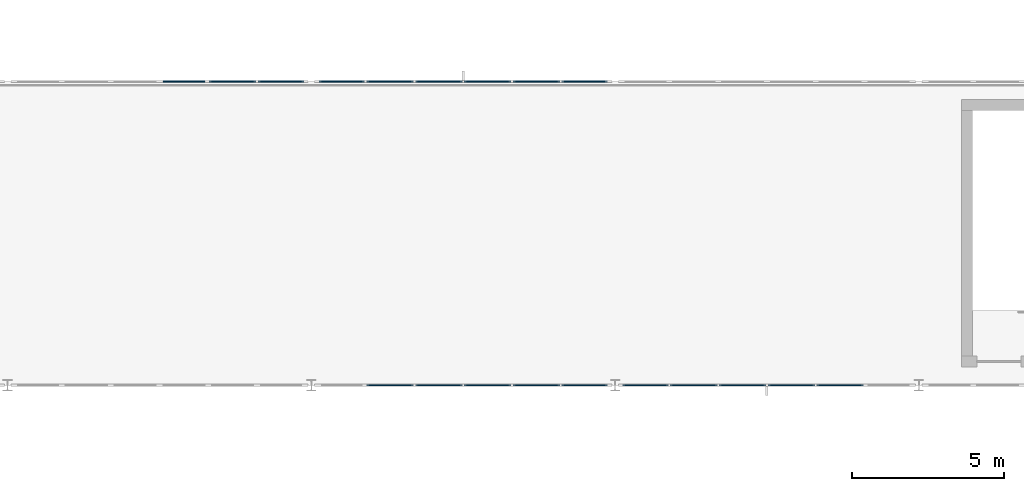
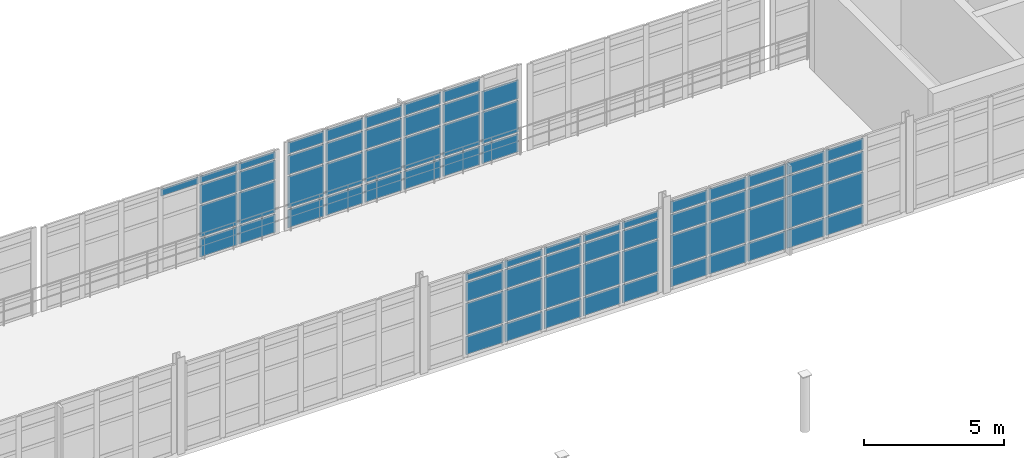
# One storey, part 81 of 122: 72 plates, 4 elements without a shape of their own.
"""IFC4 building model written with IfcOpenShell, lengths in metres."""

from ifc_helpers import new_model, si_unit, direction, frame, origin, origin_2d, place, context, subcontext, project, spatial, rectangle, extrude, material, layer, layer_set, type_object, element, aggregate, save


model = new_model("IFC4")

# Units and contexts
model_context = context("Model", 3, precision=1e-05, world=origin(), true_north=direction((0.0, 1.0)))
body_context = subcontext(model_context, "Body", "Model", "MODEL_VIEW")
ifc_project = project(units=[si_unit("LENGTHUNIT", "METRE"), si_unit("AREAUNIT", "SQUARE_METRE"), si_unit("VOLUMEUNIT", "CUBIC_METRE"), si_unit("PLANEANGLEUNIT", "RADIAN"), si_unit("MASSUNIT", "GRAM", prefix="KILO"), si_unit("THERMODYNAMICTEMPERATUREUNIT", "KELVIN"), si_unit("POWERUNIT", "WATT")], contexts=[model_context])

# Site, building, storey
site_placement = place(None, origin())
site = spatial("IfcSite", under=ifc_project, at=site_placement, CompositionType="ELEMENT")
building_placement = place(site_placement, origin())
building = spatial("IfcBuilding", under=site, at=building_placement, Name="Korenveer Ferry Terminal", CompositionType="ELEMENT")
storey_placement = place(building_placement, frame((0.0, 0.0, 10.199951171875)))
storey = spatial("IfcBuildingStorey", under=building, at=storey_placement, Name="L02", CompositionType="ELEMENT", Elevation=10.199951171875)

# Curtain wall, plates
ifc_material_1 = material(Name="Unitised bronze-and-glass curtain wall", Category="glass")
ifc_layer_1 = layer(ifc_material_1, 0.219970703125)
ifc_layer_set_1 = layer_set([ifc_layer_1], Name="Unitised bronze-and-glass curtain wall")
curtain_wall_type_1 = type_object("IfcCurtainWallType", Name="ENV-CW-91", PredefinedType="USERDEFINED", material=ifc_layer_set_1)
curtain_wall_1_placement = place(storey_placement, frame((93.179931640625, 50.0, 0.0)))
curtain_wall_1 = element("IfcCurtainWall", 1, at=curtain_wall_1_placement, inside=storey, type_object=curtain_wall_type_1, Name="Lancet curtain wall CWX-L02-X93-103-Y50-50", ObjectType="UNITISED CURTAIN WALL", PredefinedType="USERDEFINED")
ifc_material_2 = material(Name="Acoustic laminated marine glazing", Category="glass")
ifc_layer_2 = layer(ifc_material_2, 0.035888671875)
ifc_layer_set_2 = layer_set([ifc_layer_2], Name="Acoustic laminated marine glazing")
plate_type = type_object("IfcPlateType", Name="ENV-CWP-GLZ36", PredefinedType="CURTAIN_PANEL", material=ifc_layer_set_2)
plate_1_placement = place(storey_placement, frame((95.590087890625, 50.0, 0.074951171875), z_axis=(0.0, 0.0, 1.0), x_axis=(1.0, 0.0, 0.0)))
plate_1 = element("IfcPlate", 2, at=plate_1_placement, type_object=plate_type, Name="CW-91 panel 2.1", PredefinedType="CURTAIN_PANEL", context=body_context, shape_type="SweptSolid", body=[
    extrude(rectangle(XDim=1.53173828125, YDim=0.035888671875, at=origin_2d()), origin(), (0.0, 0.0, 1.0), 0.78759765625),
])
plate_2_placement = place(storey_placement, frame((95.590087890625, 50.0, 0.9375), z_axis=(0.0, 0.0, 1.0), x_axis=(1.0, 0.0, 0.0)))
plate_2 = element("IfcPlate", 3, at=plate_2_placement, type_object=plate_type, Name="CW-91 panel 2.2", PredefinedType="CURTAIN_PANEL", context=body_context, shape_type="SweptSolid", body=[
    extrude(rectangle(XDim=1.53173828125, YDim=0.035888671875, at=origin_2d()), origin(), (0.0, 0.0, 1.0), 1.375),
])
plate_3_placement = place(storey_placement, frame((95.590087890625, 50.0, 2.3876953125), z_axis=(0.0, 0.0, 1.0), x_axis=(1.0, 0.0, 0.0)))
plate_3 = element("IfcPlate", 4, at=plate_3_placement, type_object=plate_type, Name="CW-91 panel 2.3", PredefinedType="CURTAIN_PANEL", context=body_context, shape_type="SweptSolid", body=[
    extrude(rectangle(XDim=1.53173828125, YDim=0.035888671875, at=origin_2d()), origin(), (0.0, 0.0, 1.0), 0.824951171875),
])
plate_4_placement = place(storey_placement, frame((95.590087890625, 50.0, 3.28759765625), z_axis=(0.0, 0.0, 1.0), x_axis=(1.0, 0.0, 0.0)))
plate_4 = element("IfcPlate", 5, at=plate_4_placement, type_object=plate_type, Name="CW-91 panel 2.4", PredefinedType="CURTAIN_PANEL", context=body_context, shape_type="SweptSolid", body=[
    extrude(rectangle(XDim=1.53173828125, YDim=0.035888671875, at=origin_2d()), origin(), (0.0, 0.0, 1.0), 0.297607421875),
])
plate_5_placement = place(storey_placement, frame((97.19677734375, 50.0, 0.074951171875), z_axis=(0.0, 0.0, 1.0), x_axis=(1.0, 0.0, 0.0)))
plate_5 = element("IfcPlate", 6, at=plate_5_placement, type_object=plate_type, Name="CW-91 panel 3.1", PredefinedType="CURTAIN_PANEL", context=body_context, shape_type="SweptSolid", body=[
    extrude(rectangle(XDim=1.53173828125, YDim=0.035888671875, at=origin_2d()), origin(), (0.0, 0.0, 1.0), 0.78759765625),
])
plate_6_placement = place(storey_placement, frame((97.19677734375, 50.0, 0.9375), z_axis=(0.0, 0.0, 1.0), x_axis=(1.0, 0.0, 0.0)))
plate_6 = element("IfcPlate", 7, at=plate_6_placement, type_object=plate_type, Name="CW-91 panel 3.2", PredefinedType="CURTAIN_PANEL", context=body_context, shape_type="SweptSolid", body=[
    extrude(rectangle(XDim=1.53173828125, YDim=0.035888671875, at=origin_2d()), origin(), (0.0, 0.0, 1.0), 1.375),
])
plate_7_placement = place(storey_placement, frame((97.19677734375, 50.0, 2.3876953125), z_axis=(0.0, 0.0, 1.0), x_axis=(1.0, 0.0, 0.0)))
plate_7 = element("IfcPlate", 8, at=plate_7_placement, type_object=plate_type, Name="CW-91 panel 3.3", PredefinedType="CURTAIN_PANEL", context=body_context, shape_type="SweptSolid", body=[
    extrude(rectangle(XDim=1.53173828125, YDim=0.035888671875, at=origin_2d()), origin(), (0.0, 0.0, 1.0), 0.824951171875),
])
plate_8_placement = place(storey_placement, frame((97.19677734375, 50.0, 3.28759765625), z_axis=(0.0, 0.0, 1.0), x_axis=(1.0, 0.0, 0.0)))
plate_8 = element("IfcPlate", 9, at=plate_8_placement, type_object=plate_type, Name="CW-91 panel 3.4", PredefinedType="CURTAIN_PANEL", context=body_context, shape_type="SweptSolid", body=[
    extrude(rectangle(XDim=1.53173828125, YDim=0.035888671875, at=origin_2d()), origin(), (0.0, 0.0, 1.0), 0.297607421875),
])
plate_9_placement = place(storey_placement, frame((98.80322265625, 50.0, 0.074951171875), z_axis=(0.0, 0.0, 1.0), x_axis=(1.0, 0.0, 0.0)))
plate_9 = element("IfcPlate", 10, at=plate_9_placement, type_object=plate_type, Name="CW-91 panel 4.1", PredefinedType="CURTAIN_PANEL", context=body_context, shape_type="SweptSolid", body=[
    extrude(rectangle(XDim=1.53173828125, YDim=0.035888671875, at=origin_2d()), origin(), (0.0, 0.0, 1.0), 0.78759765625),
])
plate_10_placement = place(storey_placement, frame((98.80322265625, 50.0, 0.9375), z_axis=(0.0, 0.0, 1.0), x_axis=(1.0, 0.0, 0.0)))
plate_10 = element("IfcPlate", 11, at=plate_10_placement, type_object=plate_type, Name="CW-91 panel 4.2", PredefinedType="CURTAIN_PANEL", context=body_context, shape_type="SweptSolid", body=[
    extrude(rectangle(XDim=1.53173828125, YDim=0.035888671875, at=origin_2d()), origin(), (0.0, 0.0, 1.0), 1.375),
])
plate_11_placement = place(storey_placement, frame((98.80322265625, 50.0, 2.3876953125), z_axis=(0.0, 0.0, 1.0), x_axis=(1.0, 0.0, 0.0)))
plate_11 = element("IfcPlate", 12, at=plate_11_placement, type_object=plate_type, Name="CW-91 panel 4.3", PredefinedType="CURTAIN_PANEL", context=body_context, shape_type="SweptSolid", body=[
    extrude(rectangle(XDim=1.53173828125, YDim=0.035888671875, at=origin_2d()), origin(), (0.0, 0.0, 1.0), 0.824951171875),
])
plate_12_placement = place(storey_placement, frame((98.80322265625, 50.0, 3.28759765625), z_axis=(0.0, 0.0, 1.0), x_axis=(1.0, 0.0, 0.0)))
plate_12 = element("IfcPlate", 13, at=plate_12_placement, type_object=plate_type, Name="CW-91 panel 4.4", PredefinedType="CURTAIN_PANEL", context=body_context, shape_type="SweptSolid", body=[
    extrude(rectangle(XDim=1.53173828125, YDim=0.035888671875, at=origin_2d()), origin(), (0.0, 0.0, 1.0), 0.297607421875),
])
plate_13_placement = place(storey_placement, frame((100.409912109375, 50.0, 0.074951171875), z_axis=(0.0, 0.0, 1.0), x_axis=(1.0, 0.0, 0.0)))
plate_13 = element("IfcPlate", 14, at=plate_13_placement, type_object=plate_type, Name="CW-91 panel 5.1", PredefinedType="CURTAIN_PANEL", context=body_context, shape_type="SweptSolid", body=[
    extrude(rectangle(XDim=1.53173828125, YDim=0.035888671875, at=origin_2d()), origin(), (0.0, 0.0, 1.0), 0.78759765625),
])
plate_14_placement = place(storey_placement, frame((100.409912109375, 50.0, 0.9375), z_axis=(0.0, 0.0, 1.0), x_axis=(1.0, 0.0, 0.0)))
plate_14 = element("IfcPlate", 15, at=plate_14_placement, type_object=plate_type, Name="CW-91 panel 5.2", PredefinedType="CURTAIN_PANEL", context=body_context, shape_type="SweptSolid", body=[
    extrude(rectangle(XDim=1.53173828125, YDim=0.035888671875, at=origin_2d()), origin(), (0.0, 0.0, 1.0), 1.375),
])
plate_15_placement = place(storey_placement, frame((100.409912109375, 50.0, 2.3876953125), z_axis=(0.0, 0.0, 1.0), x_axis=(1.0, 0.0, 0.0)))
plate_15 = element("IfcPlate", 16, at=plate_15_placement, type_object=plate_type, Name="CW-91 panel 5.3", PredefinedType="CURTAIN_PANEL", context=body_context, shape_type="SweptSolid", body=[
    extrude(rectangle(XDim=1.53173828125, YDim=0.035888671875, at=origin_2d()), origin(), (0.0, 0.0, 1.0), 0.824951171875),
])
plate_16_placement = place(storey_placement, frame((100.409912109375, 50.0, 3.28759765625), z_axis=(0.0, 0.0, 1.0), x_axis=(1.0, 0.0, 0.0)))
plate_16 = element("IfcPlate", 17, at=plate_16_placement, type_object=plate_type, Name="CW-91 panel 5.4", PredefinedType="CURTAIN_PANEL", context=body_context, shape_type="SweptSolid", body=[
    extrude(rectangle(XDim=1.53173828125, YDim=0.035888671875, at=origin_2d()), origin(), (0.0, 0.0, 1.0), 0.297607421875),
])
plate_17_placement = place(storey_placement, frame((101.997802734375, 50.0, 0.074951171875), z_axis=(0.0, 0.0, 1.0), x_axis=(1.0, 0.0, 0.0)))
plate_17 = element("IfcPlate", 18, at=plate_17_placement, type_object=plate_type, Name="CW-91 panel 6.1", PredefinedType="CURTAIN_PANEL", context=body_context, shape_type="SweptSolid", body=[
    extrude(rectangle(XDim=1.494140625, YDim=0.035888671875, at=origin_2d()), origin(), (0.0, 0.0, 1.0), 0.78759765625),
])
plate_18_placement = place(storey_placement, frame((101.997802734375, 50.0, 0.9375), z_axis=(0.0, 0.0, 1.0), x_axis=(1.0, 0.0, 0.0)))
plate_18 = element("IfcPlate", 19, at=plate_18_placement, type_object=plate_type, Name="CW-91 panel 6.2", PredefinedType="CURTAIN_PANEL", context=body_context, shape_type="SweptSolid", body=[
    extrude(rectangle(XDim=1.494140625, YDim=0.035888671875, at=origin_2d()), origin(), (0.0, 0.0, 1.0), 1.375),
])
plate_19_placement = place(storey_placement, frame((101.997802734375, 50.0, 2.3876953125), z_axis=(0.0, 0.0, 1.0), x_axis=(1.0, 0.0, 0.0)))
plate_19 = element("IfcPlate", 20, at=plate_19_placement, type_object=plate_type, Name="CW-91 panel 6.3", PredefinedType="CURTAIN_PANEL", context=body_context, shape_type="SweptSolid", body=[
    extrude(rectangle(XDim=1.494140625, YDim=0.035888671875, at=origin_2d()), origin(), (0.0, 0.0, 1.0), 0.824951171875),
])
plate_20_placement = place(storey_placement, frame((101.997802734375, 50.0, 3.28759765625), z_axis=(0.0, 0.0, 1.0), x_axis=(1.0, 0.0, 0.0)))
plate_20 = element("IfcPlate", 21, at=plate_20_placement, type_object=plate_type, Name="CW-91 panel 6.4", PredefinedType="CURTAIN_PANEL", context=body_context, shape_type="SweptSolid", body=[
    extrude(rectangle(XDim=1.494140625, YDim=0.035888671875, at=origin_2d()), origin(), (0.0, 0.0, 1.0), 0.297607421875),
])
aggregate(curtain_wall_1, [plate_1, plate_2, plate_3, plate_4, plate_5, plate_6, plate_7, plate_8, plate_9, plate_10, plate_11, plate_12, plate_13, plate_14, plate_15, plate_16, plate_17, plate_18, plate_19, plate_20])

ifc_layer_3 = layer(ifc_material_1, 0.219970703125)
ifc_layer_set_3 = layer_set([ifc_layer_3], Name="Unitised bronze-and-glass curtain wall")
curtain_wall_type_2 = type_object("IfcCurtainWallType", Name="ENV-CW-92", PredefinedType="USERDEFINED", material=ifc_layer_set_3)
curtain_wall_2_placement = place(storey_placement, frame((103.179931640625, 50.0, 0.0)))
curtain_wall_2 = element("IfcCurtainWall", 22, at=curtain_wall_2_placement, inside=storey, type_object=curtain_wall_type_2, Name="Lancet curtain wall CWX-L02-X103-113-Y50-50", ObjectType="UNITISED CURTAIN WALL", PredefinedType="USERDEFINED")
plate_21_placement = place(storey_placement, frame((104.002197265625, 50.0, 0.074951171875), z_axis=(0.0, 0.0, 1.0), x_axis=(1.0, 0.0, 0.0)))
plate_21 = element("IfcPlate", 23, at=plate_21_placement, type_object=plate_type, Name="CW-92 panel 1.1", PredefinedType="CURTAIN_PANEL", context=body_context, shape_type="SweptSolid", body=[
    extrude(rectangle(XDim=1.494140625, YDim=0.035888671875, at=origin_2d()), origin(), (0.0, 0.0, 1.0), 0.78759765625),
])
plate_22_placement = place(storey_placement, frame((104.002197265625, 50.0, 0.9375), z_axis=(0.0, 0.0, 1.0), x_axis=(1.0, 0.0, 0.0)))
plate_22 = element("IfcPlate", 24, at=plate_22_placement, type_object=plate_type, Name="CW-92 panel 1.2", PredefinedType="CURTAIN_PANEL", context=body_context, shape_type="SweptSolid", body=[
    extrude(rectangle(XDim=1.494140625, YDim=0.035888671875, at=origin_2d()), origin(), (0.0, 0.0, 1.0), 1.375),
])
plate_23_placement = place(storey_placement, frame((104.002197265625, 50.0, 2.3876953125), z_axis=(0.0, 0.0, 1.0), x_axis=(1.0, 0.0, 0.0)))
plate_23 = element("IfcPlate", 25, at=plate_23_placement, type_object=plate_type, Name="CW-92 panel 1.3", PredefinedType="CURTAIN_PANEL", context=body_context, shape_type="SweptSolid", body=[
    extrude(rectangle(XDim=1.494140625, YDim=0.035888671875, at=origin_2d()), origin(), (0.0, 0.0, 1.0), 0.824951171875),
])
plate_24_placement = place(storey_placement, frame((104.002197265625, 50.0, 3.28759765625), z_axis=(0.0, 0.0, 1.0), x_axis=(1.0, 0.0, 0.0)))
plate_24 = element("IfcPlate", 26, at=plate_24_placement, type_object=plate_type, Name="CW-92 panel 1.4", PredefinedType="CURTAIN_PANEL", context=body_context, shape_type="SweptSolid", body=[
    extrude(rectangle(XDim=1.494140625, YDim=0.035888671875, at=origin_2d()), origin(), (0.0, 0.0, 1.0), 0.49755859375),
])
plate_25_placement = place(storey_placement, frame((105.590087890625, 50.0, 0.074951171875), z_axis=(0.0, 0.0, 1.0), x_axis=(1.0, 0.0, 0.0)))
plate_25 = element("IfcPlate", 27, at=plate_25_placement, type_object=plate_type, Name="CW-92 panel 2.1", PredefinedType="CURTAIN_PANEL", context=body_context, shape_type="SweptSolid", body=[
    extrude(rectangle(XDim=1.53173828125, YDim=0.035888671875, at=origin_2d()), origin(), (0.0, 0.0, 1.0), 0.78759765625),
])
plate_26_placement = place(storey_placement, frame((105.590087890625, 50.0, 0.9375), z_axis=(0.0, 0.0, 1.0), x_axis=(1.0, 0.0, 0.0)))
plate_26 = element("IfcPlate", 28, at=plate_26_placement, type_object=plate_type, Name="CW-92 panel 2.2", PredefinedType="CURTAIN_PANEL", context=body_context, shape_type="SweptSolid", body=[
    extrude(rectangle(XDim=1.53173828125, YDim=0.035888671875, at=origin_2d()), origin(), (0.0, 0.0, 1.0), 1.375),
])
plate_27_placement = place(storey_placement, frame((105.590087890625, 50.0, 2.3876953125), z_axis=(0.0, 0.0, 1.0), x_axis=(1.0, 0.0, 0.0)))
plate_27 = element("IfcPlate", 29, at=plate_27_placement, type_object=plate_type, Name="CW-92 panel 2.3", PredefinedType="CURTAIN_PANEL", context=body_context, shape_type="SweptSolid", body=[
    extrude(rectangle(XDim=1.53173828125, YDim=0.035888671875, at=origin_2d()), origin(), (0.0, 0.0, 1.0), 0.824951171875),
])
plate_28_placement = place(storey_placement, frame((105.590087890625, 50.0, 3.28759765625), z_axis=(0.0, 0.0, 1.0), x_axis=(1.0, 0.0, 0.0)))
plate_28 = element("IfcPlate", 30, at=plate_28_placement, type_object=plate_type, Name="CW-92 panel 2.4", PredefinedType="CURTAIN_PANEL", context=body_context, shape_type="SweptSolid", body=[
    extrude(rectangle(XDim=1.53173828125, YDim=0.035888671875, at=origin_2d()), origin(), (0.0, 0.0, 1.0), 0.49755859375),
])
plate_29_placement = place(storey_placement, frame((107.19677734375, 50.0, 0.074951171875), z_axis=(0.0, 0.0, 1.0), x_axis=(1.0, 0.0, 0.0)))
plate_29 = element("IfcPlate", 31, at=plate_29_placement, type_object=plate_type, Name="CW-92 panel 3.1", PredefinedType="CURTAIN_PANEL", context=body_context, shape_type="SweptSolid", body=[
    extrude(rectangle(XDim=1.53173828125, YDim=0.035888671875, at=origin_2d()), origin(), (0.0, 0.0, 1.0), 0.78759765625),
])
plate_30_placement = place(storey_placement, frame((107.19677734375, 50.0, 0.9375), z_axis=(0.0, 0.0, 1.0), x_axis=(1.0, 0.0, 0.0)))
plate_30 = element("IfcPlate", 32, at=plate_30_placement, type_object=plate_type, Name="CW-92 panel 3.2", PredefinedType="CURTAIN_PANEL", context=body_context, shape_type="SweptSolid", body=[
    extrude(rectangle(XDim=1.53173828125, YDim=0.035888671875, at=origin_2d()), origin(), (0.0, 0.0, 1.0), 1.375),
])
plate_31_placement = place(storey_placement, frame((107.19677734375, 50.0, 2.3876953125), z_axis=(0.0, 0.0, 1.0), x_axis=(1.0, 0.0, 0.0)))
plate_31 = element("IfcPlate", 33, at=plate_31_placement, type_object=plate_type, Name="CW-92 panel 3.3", PredefinedType="CURTAIN_PANEL", context=body_context, shape_type="SweptSolid", body=[
    extrude(rectangle(XDim=1.53173828125, YDim=0.035888671875, at=origin_2d()), origin(), (0.0, 0.0, 1.0), 0.824951171875),
])
plate_32_placement = place(storey_placement, frame((107.19677734375, 50.0, 3.28759765625), z_axis=(0.0, 0.0, 1.0), x_axis=(1.0, 0.0, 0.0)))
plate_32 = element("IfcPlate", 34, at=plate_32_placement, type_object=plate_type, Name="CW-92 panel 3.4", PredefinedType="CURTAIN_PANEL", context=body_context, shape_type="SweptSolid", body=[
    extrude(rectangle(XDim=1.53173828125, YDim=0.035888671875, at=origin_2d()), origin(), (0.0, 0.0, 1.0), 0.49755859375),
])
plate_33_placement = place(storey_placement, frame((108.80322265625, 50.0, 0.074951171875), z_axis=(0.0, 0.0, 1.0), x_axis=(1.0, 0.0, 0.0)))
plate_33 = element("IfcPlate", 35, at=plate_33_placement, type_object=plate_type, Name="CW-92 panel 4.1", PredefinedType="CURTAIN_PANEL", context=body_context, shape_type="SweptSolid", body=[
    extrude(rectangle(XDim=1.53173828125, YDim=0.035888671875, at=origin_2d()), origin(), (0.0, 0.0, 1.0), 0.78759765625),
])
plate_34_placement = place(storey_placement, frame((108.80322265625, 50.0, 0.9375), z_axis=(0.0, 0.0, 1.0), x_axis=(1.0, 0.0, 0.0)))
plate_34 = element("IfcPlate", 36, at=plate_34_placement, type_object=plate_type, Name="CW-92 panel 4.2", PredefinedType="CURTAIN_PANEL", context=body_context, shape_type="SweptSolid", body=[
    extrude(rectangle(XDim=1.53173828125, YDim=0.035888671875, at=origin_2d()), origin(), (0.0, 0.0, 1.0), 1.375),
])
plate_35_placement = place(storey_placement, frame((108.80322265625, 50.0, 2.3876953125), z_axis=(0.0, 0.0, 1.0), x_axis=(1.0, 0.0, 0.0)))
plate_35 = element("IfcPlate", 37, at=plate_35_placement, type_object=plate_type, Name="CW-92 panel 4.3", PredefinedType="CURTAIN_PANEL", context=body_context, shape_type="SweptSolid", body=[
    extrude(rectangle(XDim=1.53173828125, YDim=0.035888671875, at=origin_2d()), origin(), (0.0, 0.0, 1.0), 0.824951171875),
])
plate_36_placement = place(storey_placement, frame((108.80322265625, 50.0, 3.28759765625), z_axis=(0.0, 0.0, 1.0), x_axis=(1.0, 0.0, 0.0)))
plate_36 = element("IfcPlate", 38, at=plate_36_placement, type_object=plate_type, Name="CW-92 panel 4.4", PredefinedType="CURTAIN_PANEL", context=body_context, shape_type="SweptSolid", body=[
    extrude(rectangle(XDim=1.53173828125, YDim=0.035888671875, at=origin_2d()), origin(), (0.0, 0.0, 1.0), 0.49755859375),
])
plate_37_placement = place(storey_placement, frame((110.409912109375, 50.0, 0.074951171875), z_axis=(0.0, 0.0, 1.0), x_axis=(1.0, 0.0, 0.0)))
plate_37 = element("IfcPlate", 39, at=plate_37_placement, type_object=plate_type, Name="CW-92 panel 5.1", PredefinedType="CURTAIN_PANEL", context=body_context, shape_type="SweptSolid", body=[
    extrude(rectangle(XDim=1.53173828125, YDim=0.035888671875, at=origin_2d()), origin(), (0.0, 0.0, 1.0), 0.78759765625),
])
plate_38_placement = place(storey_placement, frame((110.409912109375, 50.0, 0.9375), z_axis=(0.0, 0.0, 1.0), x_axis=(1.0, 0.0, 0.0)))
plate_38 = element("IfcPlate", 40, at=plate_38_placement, type_object=plate_type, Name="CW-92 panel 5.2", PredefinedType="CURTAIN_PANEL", context=body_context, shape_type="SweptSolid", body=[
    extrude(rectangle(XDim=1.53173828125, YDim=0.035888671875, at=origin_2d()), origin(), (0.0, 0.0, 1.0), 1.375),
])
plate_39_placement = place(storey_placement, frame((110.409912109375, 50.0, 2.3876953125), z_axis=(0.0, 0.0, 1.0), x_axis=(1.0, 0.0, 0.0)))
plate_39 = element("IfcPlate", 41, at=plate_39_placement, type_object=plate_type, Name="CW-92 panel 5.3", PredefinedType="CURTAIN_PANEL", context=body_context, shape_type="SweptSolid", body=[
    extrude(rectangle(XDim=1.53173828125, YDim=0.035888671875, at=origin_2d()), origin(), (0.0, 0.0, 1.0), 0.824951171875),
])
plate_40_placement = place(storey_placement, frame((110.409912109375, 50.0, 3.28759765625), z_axis=(0.0, 0.0, 1.0), x_axis=(1.0, 0.0, 0.0)))
plate_40 = element("IfcPlate", 42, at=plate_40_placement, type_object=plate_type, Name="CW-92 panel 5.4", PredefinedType="CURTAIN_PANEL", context=body_context, shape_type="SweptSolid", body=[
    extrude(rectangle(XDim=1.53173828125, YDim=0.035888671875, at=origin_2d()), origin(), (0.0, 0.0, 1.0), 0.49755859375),
])
aggregate(curtain_wall_2, [plate_21, plate_22, plate_23, plate_24, plate_25, plate_26, plate_27, plate_28, plate_29, plate_30, plate_31, plate_32, plate_33, plate_34, plate_35, plate_36, plate_37, plate_38, plate_39, plate_40])

curtain_wall_3_placement = place(storey_placement, frame((83.179931640625, 60.0, 0.0)))
curtain_wall_3 = element("IfcCurtainWall", 43, at=curtain_wall_3_placement, inside=storey, type_object=curtain_wall_type_1, Name="Lancet curtain wall CWX-L02-X83-93-Y60-60", ObjectType="UNITISED CURTAIN WALL", PredefinedType="USERDEFINED")
plate_41_placement = place(storey_placement, frame((88.80322265625, 60.0, 3.28759765625), z_axis=(0.0, 0.0, 1.0), x_axis=(1.0, 0.0, 0.0)))
plate_41 = element("IfcPlate", 44, at=plate_41_placement, type_object=plate_type, Name="CW-91 panel 4.4", PredefinedType="CURTAIN_PANEL", context=body_context, shape_type="SweptSolid", body=[
    extrude(rectangle(XDim=1.53173828125, YDim=0.035888671875, at=origin_2d()), origin(), (0.0, 0.0, 1.0), 0.297607421875),
])
plate_42_placement = place(storey_placement, frame((90.409912109375, 60.0, 0.074951171875), z_axis=(0.0, 0.0, 1.0), x_axis=(1.0, 0.0, 0.0)))
plate_42 = element("IfcPlate", 45, at=plate_42_placement, type_object=plate_type, Name="CW-91 panel 5.1", PredefinedType="CURTAIN_PANEL", context=body_context, shape_type="SweptSolid", body=[
    extrude(rectangle(XDim=1.53173828125, YDim=0.035888671875, at=origin_2d()), origin(), (0.0, 0.0, 1.0), 0.78759765625),
])
plate_43_placement = place(storey_placement, frame((90.409912109375, 60.0, 0.9375), z_axis=(0.0, 0.0, 1.0), x_axis=(1.0, 0.0, 0.0)))
plate_43 = element("IfcPlate", 46, at=plate_43_placement, type_object=plate_type, Name="CW-91 panel 5.2", PredefinedType="CURTAIN_PANEL", context=body_context, shape_type="SweptSolid", body=[
    extrude(rectangle(XDim=1.53173828125, YDim=0.035888671875, at=origin_2d()), origin(), (0.0, 0.0, 1.0), 1.375),
])
plate_44_placement = place(storey_placement, frame((90.409912109375, 60.0, 2.3876953125), z_axis=(0.0, 0.0, 1.0), x_axis=(1.0, 0.0, 0.0)))
plate_44 = element("IfcPlate", 47, at=plate_44_placement, type_object=plate_type, Name="CW-91 panel 5.3", PredefinedType="CURTAIN_PANEL", context=body_context, shape_type="SweptSolid", body=[
    extrude(rectangle(XDim=1.53173828125, YDim=0.035888671875, at=origin_2d()), origin(), (0.0, 0.0, 1.0), 0.824951171875),
])
plate_45_placement = place(storey_placement, frame((90.409912109375, 60.0, 3.28759765625), z_axis=(0.0, 0.0, 1.0), x_axis=(1.0, 0.0, 0.0)))
plate_45 = element("IfcPlate", 48, at=plate_45_placement, type_object=plate_type, Name="CW-91 panel 5.4", PredefinedType="CURTAIN_PANEL", context=body_context, shape_type="SweptSolid", body=[
    extrude(rectangle(XDim=1.53173828125, YDim=0.035888671875, at=origin_2d()), origin(), (0.0, 0.0, 1.0), 0.297607421875),
])
plate_46_placement = place(storey_placement, frame((91.997802734375, 60.0, 0.074951171875), z_axis=(0.0, 0.0, 1.0), x_axis=(1.0, 0.0, 0.0)))
plate_46 = element("IfcPlate", 49, at=plate_46_placement, type_object=plate_type, Name="CW-91 panel 6.1", PredefinedType="CURTAIN_PANEL", context=body_context, shape_type="SweptSolid", body=[
    extrude(rectangle(XDim=1.494140625, YDim=0.035888671875, at=origin_2d()), origin(), (0.0, 0.0, 1.0), 0.78759765625),
])
plate_47_placement = place(storey_placement, frame((91.997802734375, 60.0, 0.9375), z_axis=(0.0, 0.0, 1.0), x_axis=(1.0, 0.0, 0.0)))
plate_47 = element("IfcPlate", 50, at=plate_47_placement, type_object=plate_type, Name="CW-91 panel 6.2", PredefinedType="CURTAIN_PANEL", context=body_context, shape_type="SweptSolid", body=[
    extrude(rectangle(XDim=1.494140625, YDim=0.035888671875, at=origin_2d()), origin(), (0.0, 0.0, 1.0), 1.375),
])
plate_48_placement = place(storey_placement, frame((91.997802734375, 60.0, 2.3876953125), z_axis=(0.0, 0.0, 1.0), x_axis=(1.0, 0.0, 0.0)))
plate_48 = element("IfcPlate", 51, at=plate_48_placement, type_object=plate_type, Name="CW-91 panel 6.3", PredefinedType="CURTAIN_PANEL", context=body_context, shape_type="SweptSolid", body=[
    extrude(rectangle(XDim=1.494140625, YDim=0.035888671875, at=origin_2d()), origin(), (0.0, 0.0, 1.0), 0.824951171875),
])
plate_49_placement = place(storey_placement, frame((91.997802734375, 60.0, 3.28759765625), z_axis=(0.0, 0.0, 1.0), x_axis=(1.0, 0.0, 0.0)))
plate_49 = element("IfcPlate", 52, at=plate_49_placement, type_object=plate_type, Name="CW-91 panel 6.4", PredefinedType="CURTAIN_PANEL", context=body_context, shape_type="SweptSolid", body=[
    extrude(rectangle(XDim=1.494140625, YDim=0.035888671875, at=origin_2d()), origin(), (0.0, 0.0, 1.0), 0.297607421875),
])
aggregate(curtain_wall_3, [plate_41, plate_42, plate_43, plate_44, plate_45, plate_46, plate_47, plate_48, plate_49])

curtain_wall_4_placement = place(storey_placement, frame((93.179931640625, 60.0, 0.0)))
curtain_wall_4 = element("IfcCurtainWall", 53, at=curtain_wall_4_placement, inside=storey, type_object=curtain_wall_type_2, Name="Lancet curtain wall CWX-L02-X93-103-Y60-60", ObjectType="UNITISED CURTAIN WALL", PredefinedType="USERDEFINED")
plate_50_placement = place(storey_placement, frame((94.002197265625, 60.0, 0.074951171875), z_axis=(0.0, 0.0, 1.0), x_axis=(1.0, 0.0, 0.0)))
plate_50 = element("IfcPlate", 54, at=plate_50_placement, type_object=plate_type, Name="CW-92 panel 1.1", PredefinedType="CURTAIN_PANEL", context=body_context, shape_type="SweptSolid", body=[
    extrude(rectangle(XDim=1.494140625, YDim=0.035888671875, at=origin_2d()), origin(), (0.0, 0.0, 1.0), 0.78759765625),
])
plate_51_placement = place(storey_placement, frame((94.002197265625, 60.0, 0.9375), z_axis=(0.0, 0.0, 1.0), x_axis=(1.0, 0.0, 0.0)))
plate_51 = element("IfcPlate", 55, at=plate_51_placement, type_object=plate_type, Name="CW-92 panel 1.2", PredefinedType="CURTAIN_PANEL", context=body_context, shape_type="SweptSolid", body=[
    extrude(rectangle(XDim=1.494140625, YDim=0.035888671875, at=origin_2d()), origin(), (0.0, 0.0, 1.0), 1.375),
])
plate_52_placement = place(storey_placement, frame((94.002197265625, 60.0, 2.3876953125), z_axis=(0.0, 0.0, 1.0), x_axis=(1.0, 0.0, 0.0)))
plate_52 = element("IfcPlate", 56, at=plate_52_placement, type_object=plate_type, Name="CW-92 panel 1.3", PredefinedType="CURTAIN_PANEL", context=body_context, shape_type="SweptSolid", body=[
    extrude(rectangle(XDim=1.494140625, YDim=0.035888671875, at=origin_2d()), origin(), (0.0, 0.0, 1.0), 0.824951171875),
])
plate_53_placement = place(storey_placement, frame((94.002197265625, 60.0, 3.28759765625), z_axis=(0.0, 0.0, 1.0), x_axis=(1.0, 0.0, 0.0)))
plate_53 = element("IfcPlate", 57, at=plate_53_placement, type_object=plate_type, Name="CW-92 panel 1.4", PredefinedType="CURTAIN_PANEL", context=body_context, shape_type="SweptSolid", body=[
    extrude(rectangle(XDim=1.494140625, YDim=0.035888671875, at=origin_2d()), origin(), (0.0, 0.0, 1.0), 0.49755859375),
])
plate_54_placement = place(storey_placement, frame((95.590087890625, 60.0, 0.074951171875), z_axis=(0.0, 0.0, 1.0), x_axis=(1.0, 0.0, 0.0)))
plate_54 = element("IfcPlate", 58, at=plate_54_placement, type_object=plate_type, Name="CW-92 panel 2.1", PredefinedType="CURTAIN_PANEL", context=body_context, shape_type="SweptSolid", body=[
    extrude(rectangle(XDim=1.53173828125, YDim=0.035888671875, at=origin_2d()), origin(), (0.0, 0.0, 1.0), 0.78759765625),
])
plate_55_placement = place(storey_placement, frame((95.590087890625, 60.0, 0.9375), z_axis=(0.0, 0.0, 1.0), x_axis=(1.0, 0.0, 0.0)))
plate_55 = element("IfcPlate", 59, at=plate_55_placement, type_object=plate_type, Name="CW-92 panel 2.2", PredefinedType="CURTAIN_PANEL", context=body_context, shape_type="SweptSolid", body=[
    extrude(rectangle(XDim=1.53173828125, YDim=0.035888671875, at=origin_2d()), origin(), (0.0, 0.0, 1.0), 1.375),
])
plate_56_placement = place(storey_placement, frame((95.590087890625, 60.0, 2.3876953125), z_axis=(0.0, 0.0, 1.0), x_axis=(1.0, 0.0, 0.0)))
plate_56 = element("IfcPlate", 60, at=plate_56_placement, type_object=plate_type, Name="CW-92 panel 2.3", PredefinedType="CURTAIN_PANEL", context=body_context, shape_type="SweptSolid", body=[
    extrude(rectangle(XDim=1.53173828125, YDim=0.035888671875, at=origin_2d()), origin(), (0.0, 0.0, 1.0), 0.824951171875),
])
plate_57_placement = place(storey_placement, frame((95.590087890625, 60.0, 3.28759765625), z_axis=(0.0, 0.0, 1.0), x_axis=(1.0, 0.0, 0.0)))
plate_57 = element("IfcPlate", 61, at=plate_57_placement, type_object=plate_type, Name="CW-92 panel 2.4", PredefinedType="CURTAIN_PANEL", context=body_context, shape_type="SweptSolid", body=[
    extrude(rectangle(XDim=1.53173828125, YDim=0.035888671875, at=origin_2d()), origin(), (0.0, 0.0, 1.0), 0.49755859375),
])
plate_58_placement = place(storey_placement, frame((97.19677734375, 60.0, 0.074951171875), z_axis=(0.0, 0.0, 1.0), x_axis=(1.0, 0.0, 0.0)))
plate_58 = element("IfcPlate", 62, at=plate_58_placement, type_object=plate_type, Name="CW-92 panel 3.1", PredefinedType="CURTAIN_PANEL", context=body_context, shape_type="SweptSolid", body=[
    extrude(rectangle(XDim=1.53173828125, YDim=0.035888671875, at=origin_2d()), origin(), (0.0, 0.0, 1.0), 0.78759765625),
])
plate_59_placement = place(storey_placement, frame((97.19677734375, 60.0, 0.9375), z_axis=(0.0, 0.0, 1.0), x_axis=(1.0, 0.0, 0.0)))
plate_59 = element("IfcPlate", 63, at=plate_59_placement, type_object=plate_type, Name="CW-92 panel 3.2", PredefinedType="CURTAIN_PANEL", context=body_context, shape_type="SweptSolid", body=[
    extrude(rectangle(XDim=1.53173828125, YDim=0.035888671875, at=origin_2d()), origin(), (0.0, 0.0, 1.0), 1.375),
])
plate_60_placement = place(storey_placement, frame((97.19677734375, 60.0, 2.3876953125), z_axis=(0.0, 0.0, 1.0), x_axis=(1.0, 0.0, 0.0)))
plate_60 = element("IfcPlate", 64, at=plate_60_placement, type_object=plate_type, Name="CW-92 panel 3.3", PredefinedType="CURTAIN_PANEL", context=body_context, shape_type="SweptSolid", body=[
    extrude(rectangle(XDim=1.53173828125, YDim=0.035888671875, at=origin_2d()), origin(), (0.0, 0.0, 1.0), 0.824951171875),
])
plate_61_placement = place(storey_placement, frame((97.19677734375, 60.0, 3.28759765625), z_axis=(0.0, 0.0, 1.0), x_axis=(1.0, 0.0, 0.0)))
plate_61 = element("IfcPlate", 65, at=plate_61_placement, type_object=plate_type, Name="CW-92 panel 3.4", PredefinedType="CURTAIN_PANEL", context=body_context, shape_type="SweptSolid", body=[
    extrude(rectangle(XDim=1.53173828125, YDim=0.035888671875, at=origin_2d()), origin(), (0.0, 0.0, 1.0), 0.49755859375),
])
plate_62_placement = place(storey_placement, frame((98.80322265625, 60.0, 0.074951171875), z_axis=(0.0, 0.0, 1.0), x_axis=(1.0, 0.0, 0.0)))
plate_62 = element("IfcPlate", 66, at=plate_62_placement, type_object=plate_type, Name="CW-92 panel 4.1", PredefinedType="CURTAIN_PANEL", context=body_context, shape_type="SweptSolid", body=[
    extrude(rectangle(XDim=1.53173828125, YDim=0.035888671875, at=origin_2d()), origin(), (0.0, 0.0, 1.0), 0.78759765625),
])
plate_63_placement = place(storey_placement, frame((98.80322265625, 60.0, 0.9375), z_axis=(0.0, 0.0, 1.0), x_axis=(1.0, 0.0, 0.0)))
plate_63 = element("IfcPlate", 67, at=plate_63_placement, type_object=plate_type, Name="CW-92 panel 4.2", PredefinedType="CURTAIN_PANEL", context=body_context, shape_type="SweptSolid", body=[
    extrude(rectangle(XDim=1.53173828125, YDim=0.035888671875, at=origin_2d()), origin(), (0.0, 0.0, 1.0), 1.375),
])
plate_64_placement = place(storey_placement, frame((98.80322265625, 60.0, 2.3876953125), z_axis=(0.0, 0.0, 1.0), x_axis=(1.0, 0.0, 0.0)))
plate_64 = element("IfcPlate", 68, at=plate_64_placement, type_object=plate_type, Name="CW-92 panel 4.3", PredefinedType="CURTAIN_PANEL", context=body_context, shape_type="SweptSolid", body=[
    extrude(rectangle(XDim=1.53173828125, YDim=0.035888671875, at=origin_2d()), origin(), (0.0, 0.0, 1.0), 0.824951171875),
])
plate_65_placement = place(storey_placement, frame((98.80322265625, 60.0, 3.28759765625), z_axis=(0.0, 0.0, 1.0), x_axis=(1.0, 0.0, 0.0)))
plate_65 = element("IfcPlate", 69, at=plate_65_placement, type_object=plate_type, Name="CW-92 panel 4.4", PredefinedType="CURTAIN_PANEL", context=body_context, shape_type="SweptSolid", body=[
    extrude(rectangle(XDim=1.53173828125, YDim=0.035888671875, at=origin_2d()), origin(), (0.0, 0.0, 1.0), 0.49755859375),
])
plate_66_placement = place(storey_placement, frame((100.409912109375, 60.0, 0.074951171875), z_axis=(0.0, 0.0, 1.0), x_axis=(1.0, 0.0, 0.0)))
plate_66 = element("IfcPlate", 70, at=plate_66_placement, type_object=plate_type, Name="CW-92 panel 5.1", PredefinedType="CURTAIN_PANEL", context=body_context, shape_type="SweptSolid", body=[
    extrude(rectangle(XDim=1.53173828125, YDim=0.035888671875, at=origin_2d()), origin(), (0.0, 0.0, 1.0), 0.78759765625),
])
plate_67_placement = place(storey_placement, frame((100.409912109375, 60.0, 0.9375), z_axis=(0.0, 0.0, 1.0), x_axis=(1.0, 0.0, 0.0)))
plate_67 = element("IfcPlate", 71, at=plate_67_placement, type_object=plate_type, Name="CW-92 panel 5.2", PredefinedType="CURTAIN_PANEL", context=body_context, shape_type="SweptSolid", body=[
    extrude(rectangle(XDim=1.53173828125, YDim=0.035888671875, at=origin_2d()), origin(), (0.0, 0.0, 1.0), 1.375),
])
plate_68_placement = place(storey_placement, frame((100.409912109375, 60.0, 2.3876953125), z_axis=(0.0, 0.0, 1.0), x_axis=(1.0, 0.0, 0.0)))
plate_68 = element("IfcPlate", 72, at=plate_68_placement, type_object=plate_type, Name="CW-92 panel 5.3", PredefinedType="CURTAIN_PANEL", context=body_context, shape_type="SweptSolid", body=[
    extrude(rectangle(XDim=1.53173828125, YDim=0.035888671875, at=origin_2d()), origin(), (0.0, 0.0, 1.0), 0.824951171875),
])
plate_69_placement = place(storey_placement, frame((100.409912109375, 60.0, 3.28759765625), z_axis=(0.0, 0.0, 1.0), x_axis=(1.0, 0.0, 0.0)))
plate_69 = element("IfcPlate", 73, at=plate_69_placement, type_object=plate_type, Name="CW-92 panel 5.4", PredefinedType="CURTAIN_PANEL", context=body_context, shape_type="SweptSolid", body=[
    extrude(rectangle(XDim=1.53173828125, YDim=0.035888671875, at=origin_2d()), origin(), (0.0, 0.0, 1.0), 0.49755859375),
])
plate_70_placement = place(storey_placement, frame((101.997802734375, 60.0, 0.074951171875), z_axis=(0.0, 0.0, 1.0), x_axis=(1.0, 0.0, 0.0)))
plate_70 = element("IfcPlate", 74, at=plate_70_placement, type_object=plate_type, Name="CW-92 panel 6.1", PredefinedType="CURTAIN_PANEL", context=body_context, shape_type="SweptSolid", body=[
    extrude(rectangle(XDim=1.494140625, YDim=0.035888671875, at=origin_2d()), origin(), (0.0, 0.0, 1.0), 0.78759765625),
])
plate_71_placement = place(storey_placement, frame((101.997802734375, 60.0, 0.9375), z_axis=(0.0, 0.0, 1.0), x_axis=(1.0, 0.0, 0.0)))
plate_71 = element("IfcPlate", 75, at=plate_71_placement, type_object=plate_type, Name="CW-92 panel 6.2", PredefinedType="CURTAIN_PANEL", context=body_context, shape_type="SweptSolid", body=[
    extrude(rectangle(XDim=1.494140625, YDim=0.035888671875, at=origin_2d()), origin(), (0.0, 0.0, 1.0), 1.375),
])
plate_72_placement = place(storey_placement, frame((101.997802734375, 60.0, 2.3876953125), z_axis=(0.0, 0.0, 1.0), x_axis=(1.0, 0.0, 0.0)))
plate_72 = element("IfcPlate", 76, at=plate_72_placement, type_object=plate_type, Name="CW-92 panel 6.3", PredefinedType="CURTAIN_PANEL", context=body_context, shape_type="SweptSolid", body=[
    extrude(rectangle(XDim=1.494140625, YDim=0.035888671875, at=origin_2d()), origin(), (0.0, 0.0, 1.0), 0.824951171875),
])
aggregate(curtain_wall_4, [plate_50, plate_51, plate_52, plate_53, plate_54, plate_55, plate_56, plate_57, plate_58, plate_59, plate_60, plate_61, plate_62, plate_63, plate_64, plate_65, plate_66, plate_67, plate_68, plate_69, plate_70, plate_71, plate_72])

save(model, "model.ifc")
